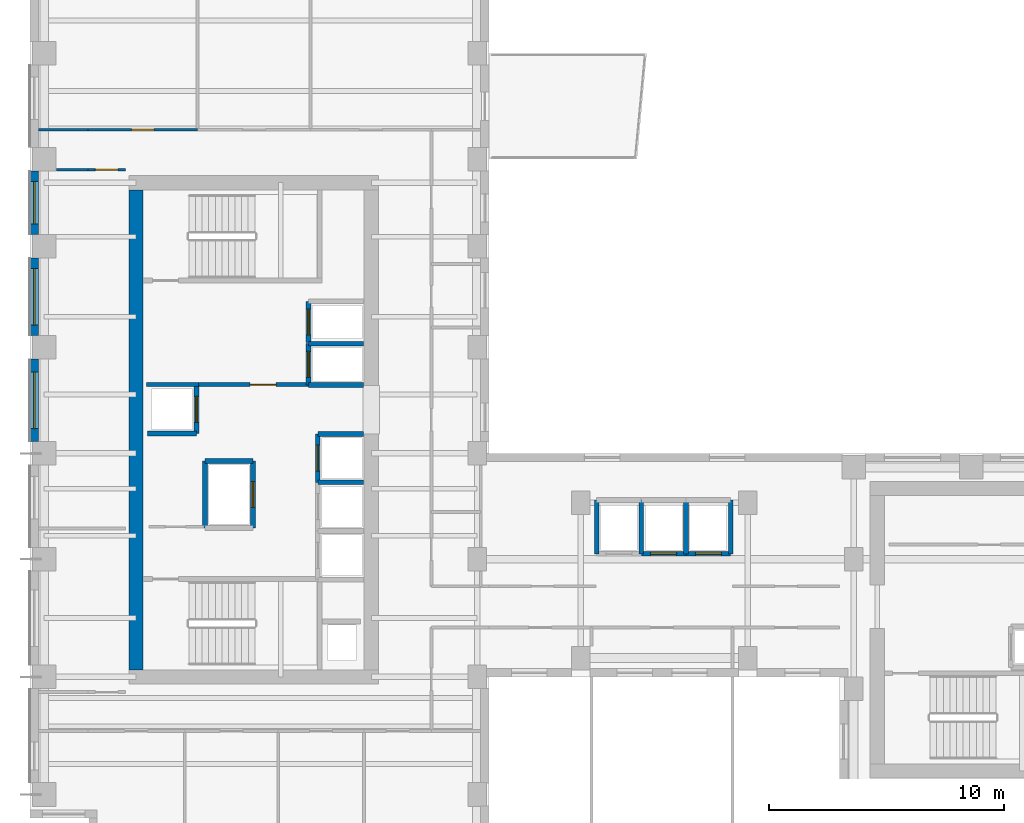
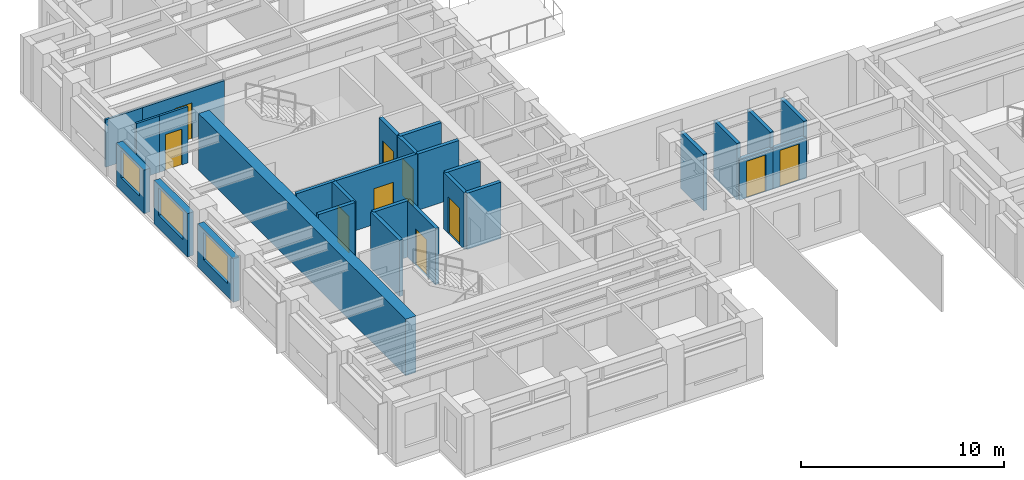
# One storey, part 5 of 11: 28 walls, 10 doors, 3 windows, 13 openings.
"""IFC4 building model written with IfcOpenShell, lengths in metres."""

from ifc_helpers import new_model, si_unit, direction, frame, frame_2d, origin, place, context, subcontext, project, spatial, rectangle, extrude, source, transform, mapped, material, layer, layer_set, type_object, element, fill, save


model = new_model("IFC4")

# Units and contexts
model_context = context("Model", 3, precision=1e-05, world=origin(), true_north=direction((0.0, 1.0)))
body_context = subcontext(model_context, "Body", "Model", "MODEL_VIEW")
ifc_project = project(units=[si_unit("LENGTHUNIT", "METRE"), si_unit("AREAUNIT", "SQUARE_METRE"), si_unit("VOLUMEUNIT", "CUBIC_METRE"), si_unit("PLANEANGLEUNIT", "RADIAN"), si_unit("MASSUNIT", "GRAM", prefix="KILO")], contexts=[model_context])

# Site, building, storey
site_placement = place(None, origin())
site = spatial("IfcSite", under=ifc_project, at=site_placement, CompositionType="ELEMENT")
building_placement = place(site_placement, origin())
building = spatial("IfcBuilding", under=site, at=building_placement, Name="Kharzan Plaza Tower", CompositionType="ELEMENT")
storey_placement = place(building_placement, frame((0.0, 0.0, 200.699951171875)))
storey = spatial("IfcBuildingStorey", under=building, at=storey_placement, Name="L54", CompositionType="ELEMENT", Elevation=200.699951171875)

# Wall, opening, window
ifc_material_1 = material(Name="Concrete C40/50", Category="concrete")
ifc_layer_1 = layer(ifc_material_1, 0.35009765625)
ifc_layer_set_1 = layer_set([ifc_layer_1], Name="Concrete C40/50")
wall_type_1 = type_object("IfcWallType", Name="WL-EXT-MAS-Z3", PredefinedType="SOLIDWALL", material=ifc_layer_set_1)
wall_1_placement = place(storey_placement, frame((0.175048828125, 30.001953125, 0.0), z_axis=(0.0, 0.0, 1.0), x_axis=(0.0, -1.0, 0.0)))
wall_1 = element("IfcWall", 1, at=wall_1_placement, inside=storey, type_object=wall_type_1, Name="L54 Masonry-Frame Exterior Wall 12", PredefinedType="SOLIDWALL", context=body_context, shape_type="SweptSolid", body=[
    extrude(rectangle(XDim=2.703857421875, YDim=0.35009765625, at=frame_2d((1.35205078125, 0.0))), origin(), (0.0, 0.0, 1.0), 2.612060546875),
])
opening_1_placement = place(wall_1_placement, frame((0.451904296875, 0.0, 0.780029296875)))
opening_1 = element("IfcOpeningElement", 2, at=opening_1_placement, cuts=wall_1, Name="Opening W1", PredefinedType="OPENING", context=body_context, shape_type="SweptSolid", body=[
    extrude(rectangle(XDim=1.800048828125, YDim=1.652099609375, at=frame_2d((0.89990234375, 0.826171875))), frame((0.0, 0.18505859375, 0.0), z_axis=(0.0, -1.0, 0.0), x_axis=(1.0, 0.0, 0.0)), (0.0, 0.0, 1.0), 0.3701171875),
])
ifc_material_2 = material(Name="Low-E Double Glazing", Category="glass")
window_type_1 = type_object("IfcWindowType", Name="WN-REC-1800x2100", PartitioningType="SINGLE_PANEL", PredefinedType="WINDOW", material=ifc_material_2)
shared_shape_1 = source(origin(), body_context, "Body", "SweptSolid", [
    extrude(rectangle(XDim=1.800048828125, YDim=1.652099609375, at=frame_2d((0.89990234375, 0.826171875))), frame((0.0, 0.030029296875, 0.0), z_axis=(0.0, -1.0, 0.0), x_axis=(1.0, 0.0, 0.0)), (0.0, 0.0, 1.0), 0.06005859375),
])
window_1_placement = place(opening_1_placement, origin())
window_1 = element("IfcWindow", 3, at=window_1_placement, inside=storey, type_object=window_type_1, Name="L54 Recessed Solar-Control Window 12-1", OverallHeight=1.652099609375, OverallWidth=1.800048828125, PartitioningType="SINGLE_PANEL", PredefinedType="WINDOW", context=body_context, shape_type="MappedRepresentation", body=[
    mapped(shared_shape_1, transform((0.0, 0.0, 0.0), x_axis=(1.0, 0.0, 0.0), y_axis=(0.0, 1.0, 0.0), z_axis=(0.0, 0.0, 1.0))),
])
fill(opening_1, window_1)

wall_2_placement = place(storey_placement, frame((0.175048828125, 26.302001953125, 0.0), z_axis=(0.0, 0.0, 1.0), x_axis=(0.0, -1.0, 0.0)))
wall_2 = element("IfcWall", 4, at=wall_2_placement, inside=storey, type_object=wall_type_1, Name="L54 Masonry-Frame Exterior Wall 13", PredefinedType="SOLIDWALL", context=body_context, shape_type="SweptSolid", body=[
    extrude(rectangle(XDim=3.303955078125, YDim=0.35009765625, at=frame_2d((1.65185546875, 0.0))), origin(), (0.0, 0.0, 1.0), 2.612060546875),
])
opening_2_placement = place(wall_2_placement, frame((0.451904296875, 0.0, 0.780029296875)))
opening_2 = element("IfcOpeningElement", 5, at=opening_2_placement, cuts=wall_2, Name="Opening W2", PredefinedType="OPENING", context=body_context, shape_type="SweptSolid", body=[
    extrude(rectangle(XDim=2.39990234375, YDim=1.652099609375, at=frame_2d((1.199951171875, 0.826171875))), frame((0.0, 0.18505859375, 0.0), z_axis=(0.0, -1.0, 0.0), x_axis=(1.0, 0.0, 0.0)), (0.0, 0.0, 1.0), 0.3701171875),
])
window_type_2 = type_object("IfcWindowType", Name="WN-REC-2400x2100", PartitioningType="SINGLE_PANEL", PredefinedType="WINDOW", material=ifc_material_2)
shared_shape_2 = source(origin(), body_context, "Body", "SweptSolid", [
    extrude(rectangle(XDim=2.39990234375, YDim=1.652099609375, at=frame_2d((1.199951171875, 0.826171875))), frame((0.0, 0.030029296875, 0.0), z_axis=(0.0, -1.0, 0.0), x_axis=(1.0, 0.0, 0.0)), (0.0, 0.0, 1.0), 0.06005859375),
])
window_2_placement = place(opening_2_placement, origin())
window_2 = element("IfcWindow", 6, at=window_2_placement, inside=storey, type_object=window_type_2, Name="L54 Wide Recessed Solar-Control Window 13-1", OverallHeight=1.652099609375, OverallWidth=2.39990234375, PartitioningType="SINGLE_PANEL", PredefinedType="WINDOW", context=body_context, shape_type="MappedRepresentation", body=[
    mapped(shared_shape_2, transform((0.0, 0.0, 0.0), x_axis=(1.0, 0.0, 0.0), y_axis=(0.0, 1.0, 0.0), z_axis=(0.0, 0.0, 1.0))),
])
fill(opening_2, window_2)

wall_3_placement = place(storey_placement, frame((0.175048828125, 22.001953125, 0.0), z_axis=(0.0, 0.0, 1.0), x_axis=(0.0, -1.0, 0.0)))
wall_3 = element("IfcWall", 7, at=wall_3_placement, inside=storey, type_object=wall_type_1, Name="L54 Masonry-Frame Exterior Wall 14", PredefinedType="SOLIDWALL", context=body_context, shape_type="SweptSolid", body=[
    extrude(rectangle(XDim=3.50390625, YDim=0.35009765625, at=frame_2d((1.751953125, 0.0))), origin(), (0.0, 0.0, 1.0), 2.612060546875),
])
opening_3_placement = place(wall_3_placement, frame((0.552001953125, 0.0, 0.780029296875)))
opening_3 = element("IfcOpeningElement", 8, at=opening_3_placement, cuts=wall_3, Name="Opening W2", PredefinedType="OPENING", context=body_context, shape_type="SweptSolid", body=[
    extrude(rectangle(XDim=2.39990234375, YDim=1.652099609375, at=frame_2d((1.199951171875, 0.826171875))), frame((0.0, 0.18505859375, 0.0), z_axis=(0.0, -1.0, 0.0), x_axis=(1.0, 0.0, 0.0)), (0.0, 0.0, 1.0), 0.3701171875),
])
window_3_placement = place(opening_3_placement, origin())
window_3 = element("IfcWindow", 9, at=window_3_placement, inside=storey, type_object=window_type_2, Name="L54 Wide Recessed Solar-Control Window 14-1", OverallHeight=1.652099609375, OverallWidth=2.39990234375, PartitioningType="SINGLE_PANEL", PredefinedType="WINDOW", context=body_context, shape_type="MappedRepresentation", body=[
    mapped(shared_shape_2, transform((0.0, 0.0, 0.0), x_axis=(1.0, 0.0, 0.0), y_axis=(0.0, 1.0, 0.0), z_axis=(0.0, 0.0, 1.0))),
])
fill(opening_3, window_3)

# Wall, opening, door
ifc_layer_2 = layer(ifc_material_1, 0.179931640625)
ifc_layer_set_2 = layer_set([ifc_layer_2], Name="Concrete C40/50")
wall_type_2 = type_object("IfcWallType", Name="WL-INT-FIRE-180", PredefinedType="PARTITIONING", material=ifc_layer_set_2)
wall_4_placement = place(storey_placement, frame((7.14990234375, 20.919921875, 0.0), z_axis=(0.0, 0.0, 1.0), x_axis=(1.0, 0.0, 0.0)))
wall_4 = element("IfcWall", 10, at=wall_4_placement, inside=storey, type_object=wall_type_2, Name="L54 Interior Partition CA-FF-S", PredefinedType="PARTITIONING", context=body_context, shape_type="SweptSolid", body=[
    extrude(rectangle(XDim=4.68017578125, YDim=0.179931640625, at=frame_2d((2.340087890625, 0.0))), origin(), (0.0, 0.0, 1.0), 3.385009765625),
])
opening_4_placement = place(wall_4_placement, frame((2.199951171875, 0.0, 0.0)))
opening_4 = element("IfcOpeningElement", 11, at=opening_4_placement, cuts=wall_4, Name="Opening FD1", PredefinedType="OPENING", context=body_context, shape_type="SweptSolid", body=[
    extrude(rectangle(XDim=1.10009765625, YDim=2.14990234375, at=frame_2d((0.550048828125, 1.074951171875))), frame((0.0, 0.099853515625, 0.0), z_axis=(0.0, -1.0, 0.0), x_axis=(1.0, 0.0, 0.0)), (0.0, 0.0, 1.0), 0.199951171875),
])
ifc_material_3 = material(Name="Fire-Rated Acoustic Vision-Panel Steel", Category="steel")
door_type_1 = type_object("IfcDoorType", Name="DR-FIRE-LOBBY", OperationType="NOTDEFINED", PredefinedType="DOOR", material=ifc_material_3)
shared_shape_3 = source(origin(), body_context, "Body", "SweptSolid", [
    extrude(rectangle(XDim=1.10009765625, YDim=2.14990234375, at=frame_2d((0.550048828125, 1.074951171875))), frame((0.0, 0.02490234375, 0.0), z_axis=(0.0, -1.0, 0.0), x_axis=(1.0, 0.0, 0.0)), (0.0, 0.0, 1.0), 0.050048828125),
])
door_1_placement = place(opening_4_placement, origin())
door_1 = element("IfcDoor", 12, at=door_1_placement, inside=storey, type_object=door_type_1, Name="L54 Firefighting Lobby Door", OperationType="SINGLE_SWING_LEFT", OverallHeight=2.14990234375, OverallWidth=1.10009765625, PredefinedType="DOOR", context=body_context, shape_type="MappedRepresentation", body=[
    mapped(shared_shape_3, transform((0.0, 0.0, 0.0), x_axis=(1.0, 0.0, 0.0), y_axis=(0.0, 1.0, 0.0), z_axis=(0.0, 0.0, 1.0))),
])
fill(opening_4, door_1)

ifc_material_4 = material(Name="Fire-Rated Gypsum Board Partition", Category="gypsum")
ifc_layer_3 = layer(ifc_material_4, 0.125)
ifc_layer_set_3 = layer_set([ifc_layer_3], Name="Fire-Rated Gypsum Board Partition")
wall_type_3 = type_object("IfcWallType", Name="WL-INT-PART-125", PredefinedType="PARTITIONING", material=ifc_layer_set_3)
wall_5_placement = place(storey_placement, frame((2.449951171875, 31.75, 0.0), z_axis=(0.0, 0.0, 1.0), x_axis=(1.0, 0.0, 0.0)))
wall_5 = element("IfcWall", 13, at=wall_5_placement, inside=storey, type_object=wall_type_3, Name="L54 Interior Partition SH-NN-1", PredefinedType="PARTITIONING", context=body_context, shape_type="SweptSolid", body=[
    extrude(rectangle(XDim=4.671142578125, YDim=0.125, at=frame_2d((2.33544921875, 0.0))), origin(), (0.0, 0.0, 1.0), 2.84814453125),
])
opening_5_placement = place(wall_5_placement, frame((1.860595703125, 0.0, 0.0)))
opening_5 = element("IfcOpeningElement", 14, at=opening_5_placement, cuts=wall_5, Name="Opening OD1", PredefinedType="OPENING", context=body_context, shape_type="SweptSolid", body=[
    extrude(rectangle(XDim=0.949951171875, YDim=2.14990234375, at=frame_2d((0.47509765625, 1.074951171875))), frame((0.0, 0.072509765625, 0.0), z_axis=(0.0, -1.0, 0.0), x_axis=(1.0, 0.0, 0.0)), (0.0, 0.0, 1.0), 0.14501953125),
])
ifc_material_5 = material(Name="Acoustic Solid-Core Stained Oak", Category="timber")
door_type_2 = type_object("IfcDoorType", Name="DR-OFF-SINGLE", OperationType="NOTDEFINED", PredefinedType="DOOR", material=ifc_material_5)
shared_shape_4 = source(origin(), body_context, "Body", "SweptSolid", [
    extrude(rectangle(XDim=0.949951171875, YDim=2.14990234375, at=frame_2d((0.47509765625, 1.074951171875))), frame((0.0, 0.02490234375, 0.0), z_axis=(0.0, -1.0, 0.0), x_axis=(1.0, 0.0, 0.0)), (0.0, 0.0, 1.0), 0.050048828125),
])
door_2_placement = place(opening_5_placement, origin())
door_2 = element("IfcDoor", 15, at=door_2_placement, inside=storey, type_object=door_type_2, Name="L54 Naval Engineering Studio Door", OperationType="SINGLE_SWING_LEFT", OverallHeight=2.14990234375, OverallWidth=0.949951171875, PredefinedType="DOOR", context=body_context, shape_type="MappedRepresentation", body=[
    mapped(shared_shape_4, transform((0.0, 0.0, 0.0), x_axis=(1.0, 0.0, 0.0), y_axis=(0.0, 1.0, 0.0), z_axis=(0.0, 0.0, 1.0))),
])
fill(opening_5, door_2)

wall_6_placement = place(storey_placement, frame((2.449951171875, 30.050048828125, 0.0), z_axis=(0.0, 0.0, 1.0), x_axis=(1.0, 0.0, 0.0)))
wall_6 = element("IfcWall", 16, at=wall_6_placement, inside=storey, type_object=wall_type_3, Name="L54 Interior Partition SH-RWND", PredefinedType="PARTITIONING", context=body_context, shape_type="SweptSolid", body=[
    extrude(rectangle(XDim=1.60009765625, YDim=0.125, at=frame_2d((0.800048828125, 0.0))), origin(), (0.0, 0.0, 1.0), 3.385009765625),
])
opening_6_placement = place(wall_6_placement, frame((0.324951171875, 0.0, 0.0)))
opening_6 = element("IfcOpeningElement", 17, at=opening_6_placement, cuts=wall_6, Name="Opening OD1", PredefinedType="OPENING", context=body_context, shape_type="SweptSolid", body=[
    extrude(rectangle(XDim=0.949951171875, YDim=2.14990234375, at=frame_2d((0.47509765625, 1.074951171875))), frame((0.0, 0.072509765625, 0.0), z_axis=(0.0, -1.0, 0.0), x_axis=(1.0, 0.0, 0.0)), (0.0, 0.0, 1.0), 0.14501953125),
])
door_3_placement = place(opening_6_placement, origin())
door_3 = element("IfcDoor", 18, at=door_3_placement, inside=storey, type_object=door_type_2, Name="L54 West Office 2 Door", OperationType="SINGLE_SWING_RIGHT", OverallHeight=2.14990234375, OverallWidth=0.949951171875, PredefinedType="DOOR", context=body_context, shape_type="MappedRepresentation", body=[
    mapped(shared_shape_4, transform((0.0, 0.0, 0.0), x_axis=(1.0, 0.0, 0.0), y_axis=(0.0, 1.0, 0.0), z_axis=(0.0, 0.0, 1.0))),
])
fill(opening_6, door_3)

ifc_layer_4 = layer(ifc_material_1, 0.199951171875)
ifc_layer_set_4 = layer_set([ifc_layer_4], Name="Concrete C40/50")
wall_type_4 = type_object("IfcWallType", Name="WL-INT-SHAFT-200", PredefinedType="PARTITIONING", material=ifc_layer_set_4)
wall_7_placement = place(storey_placement, frame((11.830078125, 20.89990234375, 0.0), z_axis=(0.0, 0.0, 1.0), x_axis=(0.0, 1.0, 0.0)))
wall_7 = element("IfcWall", 19, at=wall_7_placement, inside=storey, type_object=wall_type_4, Name="L54 Interior Partition SHF-FFL-1-W", PredefinedType="PARTITIONING", context=body_context, shape_type="SweptSolid", body=[
    extrude(rectangle(XDim=1.760009765625, YDim=0.199951171875, at=frame_2d((0.8798828125, 0.0))), origin(), (0.0, 0.0, 1.0), 3.385009765625),
])
opening_7_placement = place(wall_7_placement, frame((0.330078125, 0.0, 0.0)))
opening_7 = element("IfcOpeningElement", 20, at=opening_7_placement, cuts=wall_7, Name="Opening LD", PredefinedType="OPENING", context=body_context, shape_type="SweptSolid", body=[
    extrude(rectangle(XDim=1.10009765625, YDim=2.199951171875, at=frame_2d((0.550048828125, 1.10009765625))), frame((0.0, 0.10986328125, 0.0), z_axis=(0.0, -1.0, 0.0), x_axis=(1.0, 0.0, 0.0)), (0.0, 0.0, 1.0), 0.219970703125),
])
ifc_material_6 = material(Name="Brushed Stainless Steel", Category="steel")
door_type_3 = type_object("IfcDoorType", Name="DR-LIFT-SLIDE", OperationType="SLIDING_TO_LEFT", PredefinedType="DOOR", material=ifc_material_6)
shared_shape_5 = source(origin(), body_context, "Body", "SweptSolid", [
    extrude(rectangle(XDim=1.10009765625, YDim=2.199951171875, at=frame_2d((0.550048828125, 1.10009765625))), frame((0.0, 0.02490234375, 0.0), z_axis=(0.0, -1.0, 0.0), x_axis=(1.0, 0.0, 0.0)), (0.0, 0.0, 1.0), 0.050048828125),
])
door_4_placement = place(opening_7_placement, origin())
door_4 = element("IfcDoor", 21, at=door_4_placement, inside=storey, type_object=door_type_3, Name="L54 Firefighting Lift FFL-1 Sliding Landing Door", OperationType="SLIDING_TO_LEFT", OverallHeight=2.199951171875, OverallWidth=1.10009765625, PredefinedType="DOOR", context=body_context, shape_type="MappedRepresentation", body=[
    mapped(shared_shape_5, transform((0.0, 0.0, 0.0), x_axis=(1.0, 0.0, 0.0), y_axis=(0.0, 1.0, 0.0), z_axis=(0.0, 0.0, 1.0))),
])
fill(opening_7, door_4)

wall_8_placement = place(storey_placement, frame((11.830078125, 22.699951171875, 0.0), z_axis=(0.0, 0.0, 1.0), x_axis=(0.0, 1.0, 0.0)))
wall_8 = element("IfcWall", 22, at=wall_8_placement, inside=storey, type_object=wall_type_4, Name="L54 Interior Partition SHF-FFL-2-W", PredefinedType="PARTITIONING", context=body_context, shape_type="SweptSolid", body=[
    extrude(rectangle(XDim=1.760009765625, YDim=0.199951171875, at=frame_2d((0.8798828125, 0.0))), origin(), (0.0, 0.0, 1.0), 3.385009765625),
])
opening_8_placement = place(wall_8_placement, frame((0.330078125, 0.0, 0.0)))
opening_8 = element("IfcOpeningElement", 23, at=opening_8_placement, cuts=wall_8, Name="Opening LD", PredefinedType="OPENING", context=body_context, shape_type="SweptSolid", body=[
    extrude(rectangle(XDim=1.10009765625, YDim=2.199951171875, at=frame_2d((0.550048828125, 1.10009765625))), frame((0.0, 0.10986328125, 0.0), z_axis=(0.0, -1.0, 0.0), x_axis=(1.0, 0.0, 0.0)), (0.0, 0.0, 1.0), 0.219970703125),
])
door_5_placement = place(opening_8_placement, origin())
door_5 = element("IfcDoor", 24, at=door_5_placement, inside=storey, type_object=door_type_3, Name="L54 Firefighting Lift FFL-2 Sliding Landing Door", OperationType="SLIDING_TO_LEFT", OverallHeight=2.199951171875, OverallWidth=1.10009765625, PredefinedType="DOOR", context=body_context, shape_type="MappedRepresentation", body=[
    mapped(shared_shape_5, transform((0.0, 0.0, 0.0), x_axis=(1.0, 0.0, 0.0), y_axis=(0.0, 1.0, 0.0), z_axis=(0.0, 0.0, 1.0))),
])
fill(opening_8, door_5)

wall_9_placement = place(storey_placement, frame((12.22998046875, 16.77001953125, 0.0), z_axis=(0.0, 0.0, 1.0), x_axis=(0.0, 1.0, 0.0)))
wall_9 = element("IfcWall", 25, at=wall_9_placement, inside=storey, type_object=wall_type_4, Name="L54 Interior Partition SHF-PL-H3-W", PredefinedType="PARTITIONING", context=body_context, shape_type="SweptSolid", body=[
    extrude(rectangle(XDim=2.050048828125, YDim=0.199951171875, at=frame_2d((1.02490234375, 0.0))), origin(), (0.0, 0.0, 1.0), 3.385009765625),
])
opening_9_placement = place(wall_9_placement, frame((0.47509765625, 0.0, 0.0)))
opening_9 = element("IfcOpeningElement", 26, at=opening_9_placement, cuts=wall_9, Name="Opening LD", PredefinedType="OPENING", context=body_context, shape_type="SweptSolid", body=[
    extrude(rectangle(XDim=1.10009765625, YDim=2.199951171875, at=frame_2d((0.550048828125, 1.10009765625))), frame((0.0, 0.10986328125, 0.0), z_axis=(0.0, -1.0, 0.0), x_axis=(1.0, 0.0, 0.0)), (0.0, 0.0, 1.0), 0.219970703125),
])
door_6_placement = place(opening_9_placement, origin())
door_6 = element("IfcDoor", 27, at=door_6_placement, inside=storey, type_object=door_type_3, Name="L54 High-Rise Passenger Lift PL-H3 Sliding Landing Door", OperationType="SLIDING_TO_LEFT", OverallHeight=2.199951171875, OverallWidth=1.10009765625, PredefinedType="DOOR", context=body_context, shape_type="MappedRepresentation", body=[
    mapped(shared_shape_5, transform((0.0, 0.0, 0.0), x_axis=(1.0, 0.0, 0.0), y_axis=(0.0, 1.0, 0.0), z_axis=(0.0, 0.0, 1.0))),
])
fill(opening_9, door_6)

wall_10_placement = place(storey_placement, frame((7.070068359375, 18.840087890625, 0.0), z_axis=(0.0, 0.0, 1.0), x_axis=(0.0, 1.0, 0.0)))
wall_10 = element("IfcWall", 28, at=wall_10_placement, inside=storey, type_object=wall_type_4, Name="L54 Interior Partition SHF-PL-H4-E", PredefinedType="PARTITIONING", context=body_context, shape_type="SweptSolid", body=[
    extrude(rectangle(XDim=2.059814453125, YDim=0.199951171875, at=frame_2d((1.02978515625, 0.0))), origin(), (0.0, 0.0, 1.0), 3.385009765625),
])
opening_10_placement = place(wall_10_placement, frame((0.47998046875, 0.0, 0.0)))
opening_10 = element("IfcOpeningElement", 29, at=opening_10_placement, cuts=wall_10, Name="Opening LD", PredefinedType="OPENING", context=body_context, shape_type="SweptSolid", body=[
    extrude(rectangle(XDim=1.10009765625, YDim=2.199951171875, at=frame_2d((0.550048828125, 1.10009765625))), frame((0.0, 0.10986328125, 0.0), z_axis=(0.0, -1.0, 0.0), x_axis=(1.0, 0.0, 0.0)), (0.0, 0.0, 1.0), 0.219970703125),
])
door_7_placement = place(opening_10_placement, origin())
door_7 = element("IfcDoor", 30, at=door_7_placement, inside=storey, type_object=door_type_3, Name="L54 High-Rise Passenger Lift PL-H4 Sliding Landing Door", OperationType="SLIDING_TO_LEFT", OverallHeight=2.199951171875, OverallWidth=1.10009765625, PredefinedType="DOOR", context=body_context, shape_type="MappedRepresentation", body=[
    mapped(shared_shape_5, transform((0.0, 0.0, 0.0), x_axis=(1.0, 0.0, 0.0), y_axis=(0.0, 1.0, 0.0), z_axis=(0.0, 0.0, 1.0))),
])
fill(opening_10, door_7)

wall_11_placement = place(storey_placement, frame((25.97998046875, 13.72998046875, 0.0), z_axis=(0.0, 0.0, 1.0), x_axis=(1.0, 0.0, 0.0)))
wall_11 = element("IfcWall", 31, at=wall_11_placement, inside=storey, type_object=wall_type_4, Name="L54 Interior Partition SHF-PL-M2-S", PredefinedType="PARTITIONING", context=body_context, shape_type="SweptSolid", body=[
    extrude(rectangle(XDim=1.89013671875, YDim=0.199951171875, at=frame_2d((0.945068359375, 0.0))), origin(), (0.0, 0.0, 1.0), 2.466064453125),
])
opening_11_placement = place(wall_11_placement, frame((0.39501953125, 0.0, 0.0)))
opening_11 = element("IfcOpeningElement", 32, at=opening_11_placement, cuts=wall_11, Name="Opening LD", PredefinedType="OPENING", context=body_context, shape_type="SweptSolid", body=[
    extrude(rectangle(XDim=1.10009765625, YDim=2.199951171875, at=frame_2d((0.550048828125, 1.10009765625))), frame((0.0, 0.10986328125, 0.0), z_axis=(0.0, -1.0, 0.0), x_axis=(1.0, 0.0, 0.0)), (0.0, 0.0, 1.0), 0.219970703125),
])
door_8_placement = place(opening_11_placement, origin())
door_8 = element("IfcDoor", 33, at=door_8_placement, inside=storey, type_object=door_type_3, Name="L54 Mid-Rise Passenger Lift PL-M2 Sliding Landing Door", OperationType="SLIDING_TO_LEFT", OverallHeight=2.199951171875, OverallWidth=1.10009765625, PredefinedType="DOOR", context=body_context, shape_type="MappedRepresentation", body=[
    mapped(shared_shape_5, transform((0.0, 0.0, 0.0), x_axis=(1.0, 0.0, 0.0), y_axis=(0.0, 1.0, 0.0), z_axis=(0.0, 0.0, 1.0))),
])
fill(opening_11, door_8)

wall_12_placement = place(storey_placement, frame((27.8798828125, 13.72998046875, 0.0), z_axis=(0.0, 0.0, 1.0), x_axis=(1.0, 0.0, 0.0)))
wall_12 = element("IfcWall", 34, at=wall_12_placement, inside=storey, type_object=wall_type_4, Name="L54 Interior Partition SHF-PL-M3-S", PredefinedType="PARTITIONING", context=body_context, shape_type="SweptSolid", body=[
    extrude(rectangle(XDim=1.89013671875, YDim=0.199951171875, at=frame_2d((0.945068359375, 0.0))), origin(), (0.0, 0.0, 1.0), 2.466064453125),
])
opening_12_placement = place(wall_12_placement, frame((0.39501953125, 0.0, 0.0)))
opening_12 = element("IfcOpeningElement", 35, at=opening_12_placement, cuts=wall_12, Name="Opening LD", PredefinedType="OPENING", context=body_context, shape_type="SweptSolid", body=[
    extrude(rectangle(XDim=1.10009765625, YDim=2.199951171875, at=frame_2d((0.550048828125, 1.10009765625))), frame((0.0, 0.10986328125, 0.0), z_axis=(0.0, -1.0, 0.0), x_axis=(1.0, 0.0, 0.0)), (0.0, 0.0, 1.0), 0.219970703125),
])
door_9_placement = place(opening_12_placement, origin())
door_9 = element("IfcDoor", 36, at=door_9_placement, inside=storey, type_object=door_type_3, Name="L54 Mid-Rise Passenger Lift PL-M3 Sliding Landing Door", OperationType="SLIDING_TO_LEFT", OverallHeight=2.199951171875, OverallWidth=1.10009765625, PredefinedType="DOOR", context=body_context, shape_type="MappedRepresentation", body=[
    mapped(shared_shape_5, transform((0.0, 0.0, 0.0), x_axis=(1.0, 0.0, 0.0), y_axis=(0.0, 1.0, 0.0), z_axis=(0.0, 0.0, 1.0))),
])
fill(opening_12, door_9)

wall_13_placement = place(storey_placement, frame((9.469970703125, 14.830078125, 0.0), z_axis=(0.0, 0.0, 1.0), x_axis=(0.0, 1.0, 0.0)))
wall_13 = element("IfcWall", 37, at=wall_13_placement, inside=storey, type_object=wall_type_4, Name="L54 Interior Partition SHF-SVL-1-E", PredefinedType="PARTITIONING", context=body_context, shape_type="SweptSolid", body=[
    extrude(rectangle(XDim=2.83984375, YDim=0.199951171875, at=frame_2d((1.419921875, 0.0))), origin(), (0.0, 0.0, 1.0), 3.385009765625),
])
opening_13_placement = place(wall_13_placement, frame((0.8701171875, 0.0, 0.0)))
opening_13 = element("IfcOpeningElement", 38, at=opening_13_placement, cuts=wall_13, Name="Opening LD", PredefinedType="OPENING", context=body_context, shape_type="SweptSolid", body=[
    extrude(rectangle(XDim=1.10009765625, YDim=2.199951171875, at=frame_2d((0.550048828125, 1.10009765625))), frame((0.0, 0.10986328125, 0.0), z_axis=(0.0, -1.0, 0.0), x_axis=(1.0, 0.0, 0.0)), (0.0, 0.0, 1.0), 0.219970703125),
])
door_10_placement = place(opening_13_placement, origin())
door_10 = element("IfcDoor", 39, at=door_10_placement, inside=storey, type_object=door_type_3, Name="L54 Service Lift SVL-1 Sliding Landing Door", OperationType="SLIDING_TO_LEFT", OverallHeight=2.199951171875, OverallWidth=1.10009765625, PredefinedType="DOOR", context=body_context, shape_type="MappedRepresentation", body=[
    mapped(shared_shape_5, transform((0.0, 0.0, 0.0), x_axis=(1.0, 0.0, 0.0), y_axis=(0.0, 1.0, 0.0), z_axis=(0.0, 0.0, 1.0))),
])
fill(opening_13, door_10)

# Walls
shared_shape_6 = source(origin(), body_context, "Body", "SweptSolid", [
    extrude(rectangle(XDim=2.199951171875, YDim=0.179931640625, at=frame_2d((1.10009765625, 0.0))), origin(), (0.0, 0.0, 1.0), 3.385009765625),
])
wall_14_placement = place(storey_placement, frame((4.949951171875, 20.919921875, 0.0), z_axis=(0.0, 0.0, 1.0), x_axis=(1.0, 0.0, 0.0)))
element("IfcWall", 40, at=wall_14_placement, inside=storey, type_object=wall_type_2, Name="L54 Interior Partition CA-FF-SW", PredefinedType="PARTITIONING", context=body_context, shape_type="MappedRepresentation", body=[
    mapped(shared_shape_6, transform((0.0, 0.0, 0.0), x_axis=(1.0, 0.0, 0.0), y_axis=(0.0, 1.0, 0.0), z_axis=(0.0, 0.0, 1.0))),
])
shared_shape_7 = source(origin(), body_context, "Body", "SweptSolid", [
    extrude(rectangle(XDim=2.33984375, YDim=0.199951171875, at=frame_2d((1.169921875, 0.0))), origin(), (0.0, 0.0, 1.0), 3.385009765625),
])
for number, where, z_axis, x_axis, name in (
    (41, (11.830078125, 22.659912109375, 0.0), (0.0, 0.0, 1.0), (1.0, 0.0, 0.0), "L54 Interior Partition SHF-FFL-1-N"),
    (42, (11.830078125, 20.89990234375, 0.0), (0.0, 0.0, 1.0), (1.0, 0.0, 0.0), "L54 Interior Partition SHF-FFL-1-S"),
):
    element("IfcWall", number, at=place(storey_placement, frame(where, z_axis=z_axis, x_axis=x_axis)), inside=storey, type_object=wall_type_4, Name=name, PredefinedType="PARTITIONING", context=body_context, shape_type="MappedRepresentation", body=[
        mapped(shared_shape_7, transform((0.0, 0.0, 0.0), x_axis=(1.0, 0.0, 0.0), y_axis=(0.0, 1.0, 0.0), z_axis=(0.0, 0.0, 1.0))),
    ])
shared_shape_8 = source(origin(), body_context, "Body", "SweptSolid", [
    extrude(rectangle(XDim=1.93994140625, YDim=0.199951171875, at=frame_2d((0.969970703125, 0.0))), origin(), (0.0, 0.0, 1.0), 3.385009765625),
])
for number, where, z_axis, x_axis, name in (
    (43, (12.22998046875, 16.77001953125, 0.0), (0.0, 0.0, 1.0), (1.0, 0.0, 0.0), "L54 Interior Partition SHF-PL-H2-N"),
    (44, (12.22998046875, 18.820068359375, 0.0), (0.0, 0.0, 1.0), (1.0, 0.0, 0.0), "L54 Interior Partition SHF-PL-H3-N"),
):
    element("IfcWall", number, at=place(storey_placement, frame(where, z_axis=z_axis, x_axis=x_axis)), inside=storey, type_object=wall_type_4, Name=name, PredefinedType="PARTITIONING", context=body_context, shape_type="MappedRepresentation", body=[
        mapped(shared_shape_8, transform((0.0, 0.0, 0.0), x_axis=(1.0, 0.0, 0.0), y_axis=(0.0, 1.0, 0.0), z_axis=(0.0, 0.0, 1.0))),
    ])
shared_shape_9 = source(origin(), body_context, "Body", "SweptSolid", [
    extrude(rectangle(XDim=2.090087890625, YDim=0.199951171875, at=frame_2d((1.044921875, 0.0))), origin(), (0.0, 0.0, 1.0), 3.385009765625),
])
wall_15_placement = place(storey_placement, frame((4.97998046875, 18.840087890625, 0.0), z_axis=(0.0, 0.0, 1.0), x_axis=(1.0, 0.0, 0.0)))
element("IfcWall", 45, at=wall_15_placement, inside=storey, type_object=wall_type_4, Name="L54 Interior Partition SHF-PL-H4-S", PredefinedType="PARTITIONING", context=body_context, shape_type="MappedRepresentation", body=[
    mapped(shared_shape_9, transform((0.0, 0.0, 0.0), x_axis=(1.0, 0.0, 0.0), y_axis=(0.0, 1.0, 0.0), z_axis=(0.0, 0.0, 1.0))),
])
shared_shape_10 = source(origin(), body_context, "Body", "SweptSolid", [
    extrude(rectangle(XDim=2.2900390625, YDim=0.199951171875, at=frame_2d((1.14501953125, 0.0))), origin(), (0.0, 0.0, 1.0), 3.385009765625),
])
for number, where, z_axis, x_axis, name in (
    (46, (25.969970703125, 13.72998046875, 0.0), (0.0, 0.0, 1.0), (0.0, 1.0, 0.0), "L54 Interior Partition SHF-PL-M1-E"),
    (47, (24.080078125, 13.72998046875, 0.0), (0.0, 0.0, 1.0), (0.0, 1.0, 0.0), "L54 Interior Partition SHF-PL-M1-W"),
    (48, (27.8701171875, 13.72998046875, 0.0), (0.0, 0.0, 1.0), (0.0, 1.0, 0.0), "L54 Interior Partition SHF-PL-M2-E"),
    (49, (29.77001953125, 13.72998046875, 0.0), (0.0, 0.0, 1.0), (0.0, 1.0, 0.0), "L54 Interior Partition SHF-PL-M3-E"),
):
    element("IfcWall", number, at=place(storey_placement, frame(where, z_axis=z_axis, x_axis=x_axis)), inside=storey, type_object=wall_type_4, Name=name, PredefinedType="PARTITIONING", context=body_context, shape_type="MappedRepresentation", body=[
        mapped(shared_shape_10, transform((0.0, 0.0, 0.0), x_axis=(1.0, 0.0, 0.0), y_axis=(0.0, 1.0, 0.0), z_axis=(0.0, 0.0, 1.0))),
    ])
shared_shape_11 = source(origin(), body_context, "Body", "SweptSolid", [
    extrude(rectangle(XDim=2.0400390625, YDim=0.199951171875, at=frame_2d((1.02001953125, 0.0))), origin(), (0.0, 0.0, 1.0), 3.385009765625),
])
wall_16_placement = place(storey_placement, frame((7.429931640625, 17.669921875, 0.0), z_axis=(0.0, 0.0, 1.0), x_axis=(1.0, 0.0, 0.0)))
element("IfcWall", 50, at=wall_16_placement, inside=storey, type_object=wall_type_4, Name="L54 Interior Partition SHF-SVL-1-N", PredefinedType="PARTITIONING", context=body_context, shape_type="MappedRepresentation", body=[
    mapped(shared_shape_11, transform((0.0, 0.0, 0.0), x_axis=(1.0, 0.0, 0.0), y_axis=(0.0, 1.0, 0.0), z_axis=(0.0, 0.0, 1.0))),
])
shared_shape_12 = source(origin(), body_context, "Body", "SweptSolid", [
    extrude(rectangle(XDim=2.83984375, YDim=0.199951171875, at=frame_2d((1.419921875, 0.0))), origin(), (0.0, 0.0, 1.0), 3.385009765625),
])
wall_17_placement = place(storey_placement, frame((7.429931640625, 14.830078125, 0.0), z_axis=(0.0, 0.0, 1.0), x_axis=(0.0, 1.0, 0.0)))
element("IfcWall", 51, at=wall_17_placement, inside=storey, type_object=wall_type_4, Name="L54 Interior Partition SHF-SVL-1-W", PredefinedType="PARTITIONING", context=body_context, shape_type="MappedRepresentation", body=[
    mapped(shared_shape_12, transform((0.0, 0.0, 0.0), x_axis=(1.0, 0.0, 0.0), y_axis=(0.0, 1.0, 0.0), z_axis=(0.0, 0.0, 1.0))),
])
ifc_material_7 = material(Name="Concrete C50/60", Category="concrete")
ifc_layer_5 = layer(ifc_material_7, 0.60009765625)
ifc_layer_set_5 = layer_set([ifc_layer_5], Name="Concrete C50/60")
wall_type_5 = type_object("IfcWallType", Name="WL-CORE-600", PredefinedType="SHEAR", material=ifc_layer_set_5)
shared_shape_13 = source(origin(), body_context, "Body", "SweptSolid", [
    extrude(rectangle(XDim=20.39990234375, YDim=0.60009765625, at=frame_2d((10.199951171875, 0.0))), origin(), (0.0, 0.0, 1.0), 3.400146484375),
])
wall_18_placement = place(storey_placement, frame((4.5, 8.800048828125, 0.0), z_axis=(0.0, 0.0, 1.0), x_axis=(0.0, 1.0, 0.0)))
element("IfcWall", 52, at=wall_18_placement, inside=storey, type_object=wall_type_5, Name="L54 CORE-A west RC shear wall", PredefinedType="SHEAR", context=body_context, shape_type="MappedRepresentation", body=[
    mapped(shared_shape_13, transform((0.0, 0.0, 0.0), x_axis=(1.0, 0.0, 0.0), y_axis=(0.0, 1.0, 0.0), z_axis=(0.0, 0.0, 1.0))),
])
shared_shape_14 = source(origin(), body_context, "Body", "SweptSolid", [
    extrude(rectangle(XDim=1.329833984375, YDim=0.125, at=frame_2d((0.6650390625, 0.0))), origin(), (0.0, 0.0, 1.0), 3.385009765625),
])
wall_19_placement = place(storey_placement, frame((1.1201171875, 30.050048828125, 0.0), z_axis=(0.0, 0.0, 1.0), x_axis=(1.0, 0.0, 0.0)))
element("IfcWall", 53, at=wall_19_placement, inside=storey, type_object=wall_type_3, Name="L54 Interior Partition SH-RWN0", PredefinedType="PARTITIONING", context=body_context, shape_type="MappedRepresentation", body=[
    mapped(shared_shape_14, transform((0.0, 0.0, 0.0), x_axis=(1.0, 0.0, 0.0), y_axis=(0.0, 1.0, 0.0), z_axis=(0.0, 0.0, 1.0))),
])
shared_shape_15 = source(origin(), body_context, "Body", "SweptSolid", [
    extrude(rectangle(XDim=2.097900390625, YDim=0.125, at=frame_2d((1.048828125, 0.0))), origin(), (0.0, 0.0, 1.0), 2.84814453125),
])
wall_20_placement = place(storey_placement, frame((0.35205078125, 31.75, 0.0), z_axis=(0.0, 0.0, 1.0), x_axis=(1.0, 0.0, 0.0)))
element("IfcWall", 54, at=wall_20_placement, inside=storey, type_object=wall_type_3, Name="L54 Interior Partition SH-NNW0", PredefinedType="PARTITIONING", context=body_context, shape_type="MappedRepresentation", body=[
    mapped(shared_shape_15, transform((0.0, 0.0, 0.0), x_axis=(1.0, 0.0, 0.0), y_axis=(0.0, 1.0, 0.0), z_axis=(0.0, 0.0, 1.0))),
])

save(model, "model.ifc")
